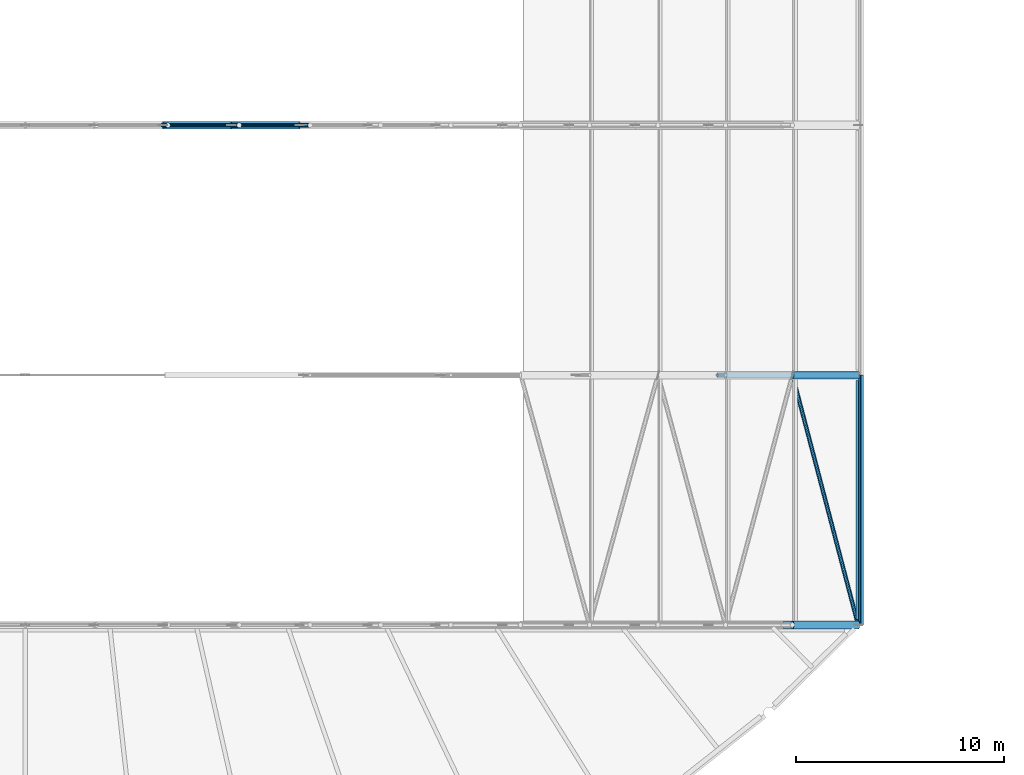
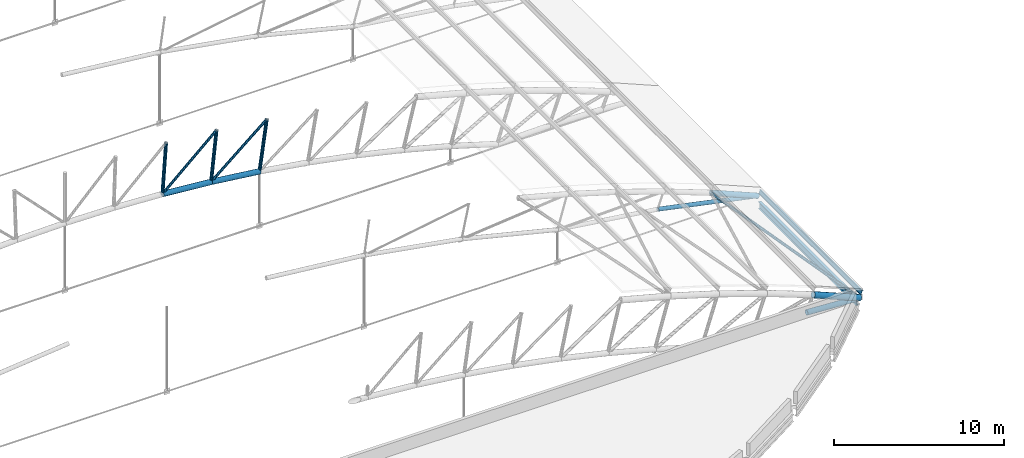
# One storey, part 46 of 321: 13 members, 1 beam.
"""IFC4 building model written with IfcOpenShell, lengths in metres."""

from ifc_helpers import new_model, si_unit, direction, frame, origin, origin_2d, place, context, subcontext, project, spatial, hollow_circle, i_section, extrude, material, material_profile, profile_set, type_object, element, save


model = new_model("IFC4")

# Units and contexts
model_context = context("Model", 3, precision=1e-05, world=origin(), true_north=direction((0.0, 1.0)))
body_context = subcontext(model_context, "Body", "Model", "MODEL_VIEW")
ifc_project = project(units=[si_unit("LENGTHUNIT", "METRE"), si_unit("AREAUNIT", "SQUARE_METRE"), si_unit("VOLUMEUNIT", "CUBIC_METRE"), si_unit("PLANEANGLEUNIT", "RADIAN"), si_unit("MASSUNIT", "GRAM", prefix="KILO")], contexts=[model_context])

# Site, building, storey
site_placement = place(None, origin())
site = spatial("IfcSite", under=ifc_project, at=site_placement, CompositionType="ELEMENT")
building_placement = place(site_placement, origin())
building = spatial("IfcBuilding", under=site, at=building_placement, Name="Ravi Spectrum Wholesale Market", CompositionType="ELEMENT")
storey_placement = place(building_placement, frame((0.0, 0.0, 10.800048828125)))
storey = spatial("IfcBuildingStorey", under=building, at=storey_placement, Name="L02", CompositionType="ELEMENT", Elevation=10.800048828125)

# Members
ifc_material_1 = material(Name="Steel S355", Category="steel")
ifc_material_profile_1 = material_profile(ifc_material_1, hollow_circle(Radius=0.084228515625, WallThickness=0.00634765625, at=origin_2d()))
ifc_profile_set_1 = profile_set([ifc_material_profile_1], Name="Steel S355")
member_type_1 = type_object("IfcMemberType", Name="CHS 168.3x6.3 brace", PredefinedType="BRACE", material=ifc_profile_set_1)
for number, where, z_axis, x_axis, name in (
    (1, (80.273193359375, 54.0, 7.867919921875), (-0.743626505142, 0.0, -0.668595259369), (0.0, -1.0, 0.0), "H1-MB-L02-247"),
    (2, (83.678466796875, 54.0, 7.45458984375), (-0.766252893925, 0.0, -0.642539105854), (0.0, -1.0, 0.0), "H1-MB-L02-248"),
):
    element("IfcMember", number, at=place(storey_placement, frame(where, z_axis=z_axis, x_axis=x_axis)), inside=storey, type_object=member_type_1, Name=name, PredefinedType="BRACE", context=body_context, shape_type="SweptSolid", body=[
        extrude(hollow_circle(Radius=0.084228515625, WallThickness=0.00634765625, at=origin_2d()), origin(), (0.0, 0.0, 1.0), 4.9296875),
    ])
ifc_material_2 = material(Name="Steel S355", Category="steel")
ifc_material_profile_2 = material_profile(ifc_material_2, hollow_circle(Radius=0.096923828125, WallThickness=0.00634765625, at=origin_2d()))
ifc_profile_set_2 = profile_set([ifc_material_profile_2], Name="Steel S355")
member_type_2 = type_object("IfcMemberType", Name="CHS 193.7x6.3 brace", PredefinedType="BRACE", material=ifc_profile_set_2)
member_1_placement = place(storey_placement, frame((106.845458984375, 42.0, 1.34912109375), z_axis=(0.252750787053, -0.961474087551, -0.108095414384), x_axis=(0.967141027223, 0.254240503189, 0.0)))
element("IfcMember", 3, at=member_1_placement, inside=storey, type_object=member_type_2, Name="H1-MB-L02-1607", PredefinedType="BRACE", context=body_context, shape_type="SweptSolid", body=[
    extrude(hollow_circle(Radius=0.096923828125, WallThickness=0.00634765625, at=origin_2d()), origin(), (0.0, 0.0, 1.0), 12.48095703125),
])
ifc_material_3 = material(Name="Steel S355", Category="steel")
ifc_material_profile_3 = material_profile(ifc_material_3, hollow_circle(Radius=0.109619140625, WallThickness=0.008056640625, at=origin_2d()))
ifc_profile_set_3 = profile_set([ifc_material_profile_3], Name="Steel S355")
member_type_3 = type_object("IfcMemberType", Name="CHS 219.1x8 post", PredefinedType="POST", material=ifc_profile_set_3)
member_2_placement = place(storey_placement, frame((76.85546875, 54.0, 8.163330078125), z_axis=(-0.068904502548, 0.0, -0.997623260319), x_axis=(0.0, -1.0, 0.0)))
element("IfcMember", 4, at=member_2_placement, inside=storey, type_object=member_type_3, Name="H1-MB-L02-224", PredefinedType="POST", context=body_context, shape_type="SweptSolid", body=[
    extrude(hollow_circle(Radius=0.109619140625, WallThickness=0.008056640625, at=origin_2d()), origin(), (0.0, 0.0, 1.0), 3.599853515625),
])
member_3_placement = place(storey_placement, frame((80.273193359375, 54.0, 7.867919921875), z_axis=(-0.103350310801, 0.0, -0.994645018716), x_axis=(0.0, -1.0, 0.0)))
element("IfcMember", 5, at=member_3_placement, inside=storey, type_object=member_type_3, Name="H1-MB-L02-225", PredefinedType="POST", context=body_context, shape_type="SweptSolid", body=[
    extrude(hollow_circle(Radius=0.109619140625, WallThickness=0.008056640625, at=origin_2d()), origin(), (0.0, 0.0, 1.0), 3.60009765625),
])
member_4_placement = place(storey_placement, frame((83.678466796875, 54.0, 7.45458984375), z_axis=(-0.137603486835, 0.0, -0.990487395382), x_axis=(0.0, -1.0, 0.0)))
element("IfcMember", 6, at=member_4_placement, inside=storey, type_object=member_type_3, Name="H1-MB-L02-226", PredefinedType="POST", context=body_context, shape_type="SweptSolid", body=[
    extrude(hollow_circle(Radius=0.109619140625, WallThickness=0.008056640625, at=origin_2d()), origin(), (0.0, 0.0, 1.0), 3.599853515625),
])
ifc_material_4 = material(Name="Steel S355", Category="steel")
ifc_material_profile_4 = material_profile(ifc_material_4, hollow_circle(Radius=0.136474609375, WallThickness=0.010009765625, at=origin_2d()))
ifc_profile_set_4 = profile_set([ifc_material_profile_4], Name="Steel S355")
member_type_4 = type_object("IfcMemberType", Name="CHS 273x10 chord", PredefinedType="CHORD", material=ifc_profile_set_4)
member_5_placement = place(storey_placement, frame((103.231201171875, 42.0, 1.435546875), z_axis=(0.978978953118, 0.0, -0.203961293758), x_axis=(0.0, 1.0, 0.0)))
element("IfcMember", 7, at=member_5_placement, inside=storey, type_object=member_type_4, Name="H1-MB-L02-135", PredefinedType="CHORD", context=body_context, shape_type="SweptSolid", body=[
    extrude(hollow_circle(Radius=0.136474609375, WallThickness=0.010009765625, at=origin_2d()), origin(), (0.0, 0.0, 1.0), 6.924560546875),
])
ifc_material_5 = material(Name="Steel S355", Category="steel")
ifc_material_profile_5 = material_profile(ifc_material_5, hollow_circle(Radius=0.177734375, WallThickness=0.012451171875, at=origin_2d()))
ifc_profile_set_5 = profile_set([ifc_material_profile_5], Name="Steel S355")
member_type_5 = type_object("IfcMemberType", Name="CHS 355.6x12.5 chord", PredefinedType="CHORD", material=ifc_profile_set_5)
member_6_placement = place(storey_placement, frame((106.3916015625, 30.0, 0.2109375), z_axis=(0.998295734367, 0.0, -0.058357747936), x_axis=(0.0, 1.0, 0.0)))
element("IfcMember", 8, at=member_6_placement, inside=storey, type_object=member_type_5, Name="H1-MB-L02-048", PredefinedType="CHORD", context=body_context, shape_type="SweptSolid", body=[
    extrude(hollow_circle(Radius=0.177734375, WallThickness=0.012451171875, at=origin_2d()), origin(), (0.0, 0.0, 1.0), 3.614501953125),
])
member_7_placement = place(storey_placement, frame((106.845458984375, 42.0, 1.34912109375), z_axis=(0.922323660423, 0.0, -0.386418251929), x_axis=(0.0, 1.0, 0.0)))
element("IfcMember", 9, at=member_7_placement, inside=storey, type_object=member_type_5, Name="H1-MB-L02-123", PredefinedType="CHORD", context=body_context, shape_type="SweptSolid", body=[
    extrude(hollow_circle(Radius=0.177734375, WallThickness=0.012451171875, at=origin_2d()), origin(), (0.0, 0.0, 1.0), 3.431396484375),
])
member_8_placement = place(storey_placement, frame((76.607421875, 54.0, 4.572021484375), z_axis=(0.99627955827, 0.0, -0.08618028645), x_axis=(0.0, 1.0, 0.0)))
element("IfcMember", 10, at=member_8_placement, inside=storey, type_object=member_type_5, Name="H1-MB-L02-201", PredefinedType="CHORD", context=body_context, shape_type="SweptSolid", body=[
    extrude(hollow_circle(Radius=0.177734375, WallThickness=0.012451171875, at=origin_2d()), origin(), (0.0, 0.0, 1.0), 3.305908203125),
])
member_9_placement = place(storey_placement, frame((79.901123046875, 54.0, 4.287109375), z_axis=(0.99272014244, 0.0, -0.120443840833), x_axis=(0.0, 1.0, 0.0)))
element("IfcMember", 11, at=member_9_placement, inside=storey, type_object=member_type_5, Name="H1-MB-L02-202", PredefinedType="CHORD", context=body_context, shape_type="SweptSolid", body=[
    extrude(hollow_circle(Radius=0.177734375, WallThickness=0.012451171875, at=origin_2d()), origin(), (0.0, 0.0, 1.0), 3.30615234375),
])
ifc_material_6 = material(Name="Steel S355", Category="steel")
ifc_material_profile_6 = material_profile(ifc_material_6, hollow_circle(Radius=0.203125, WallThickness=0.01611328125, at=origin_2d()))
ifc_profile_set_6 = profile_set([ifc_material_profile_6], Name="Steel S355")
member_type_6 = type_object("IfcMemberType", Name="CHS 406.4x16 chord", PredefinedType="CHORD", material=ifc_profile_set_6)
member_10_placement = place(storey_placement, frame((106.836181640625, 30.0, 1.325439453125), z_axis=(0.922331882778, 0.0, -0.386398625789), x_axis=(0.0, 1.0, 0.0)))
element("IfcMember", 12, at=member_10_placement, inside=storey, type_object=member_type_6, Name="H1-MB-L02-024", PredefinedType="CHORD", context=body_context, shape_type="SweptSolid", body=[
    extrude(hollow_circle(Radius=0.203125, WallThickness=0.01611328125, at=origin_2d()), origin(), (0.0, 0.0, 1.0), 3.43017578125),
])
ifc_material_7 = material(Name="Steel S355", Category="steel")
ifc_material_profile_7 = material_profile(ifc_material_7, i_section(OverallWidth=0.135009765625, OverallDepth=0.27001953125, WebThickness=0.006591796875, FlangeThickness=0.01025390625, at=origin_2d()))
ifc_profile_set_7 = profile_set([ifc_material_profile_7], Name="Steel S355")
member_type_7 = type_object("IfcMemberType", Name="IPE 270 purlin", PredefinedType="PURLIN", material=ifc_profile_set_7)
member_11_placement = place(storey_placement, frame((110.135986328125, 30.0, 0.3095703125), z_axis=(0.0, 1.0, 0.0), x_axis=(-0.915525334521, 0.0, 0.402260316027)))
element("IfcMember", 13, at=member_11_placement, inside=storey, type_object=member_type_7, Name="H1-MB-L02-1258", PredefinedType="PURLIN", context=body_context, shape_type="SweptSolid", body=[
    extrude(i_section(OverallWidth=0.135009765625, OverallDepth=0.27001953125, WebThickness=0.006591796875, FlangeThickness=0.01025390625, at=origin_2d()), origin(), (0.0, 0.0, 1.0), 12.0),
])

# Beam
ifc_material_8 = material(Name="Steel S355", Category="steel")
ifc_material_profile_8 = material_profile(ifc_material_8, i_section(OverallWidth=0.199951171875, OverallDepth=0.5, WebThickness=0.01025390625, FlangeThickness=0.01611328125, at=origin_2d()))
ifc_profile_set_8 = profile_set([ifc_material_profile_8], Name="Steel S355")
beam_type = type_object("IfcBeamType", Name="IPE 500 girder", PredefinedType="BEAM", material=ifc_profile_set_8)
beam_placement = place(storey_placement, frame((110.0, 30.25390625, -0.449951171875), z_axis=(0.0, 1.0, 0.0), x_axis=(-1.0, 0.0, 0.0)))
element("IfcBeam", 14, at=beam_placement, inside=storey, type_object=beam_type, Name="H1-BM-L02-015", PredefinedType="BEAM", context=body_context, shape_type="SweptSolid", body=[
    extrude(i_section(OverallWidth=0.199951171875, OverallDepth=0.5, WebThickness=0.01025390625, FlangeThickness=0.01611328125, at=origin_2d()), origin(), (0.0, 0.0, 1.0), 11.4921875),
])

save(model, "model.ifc")
